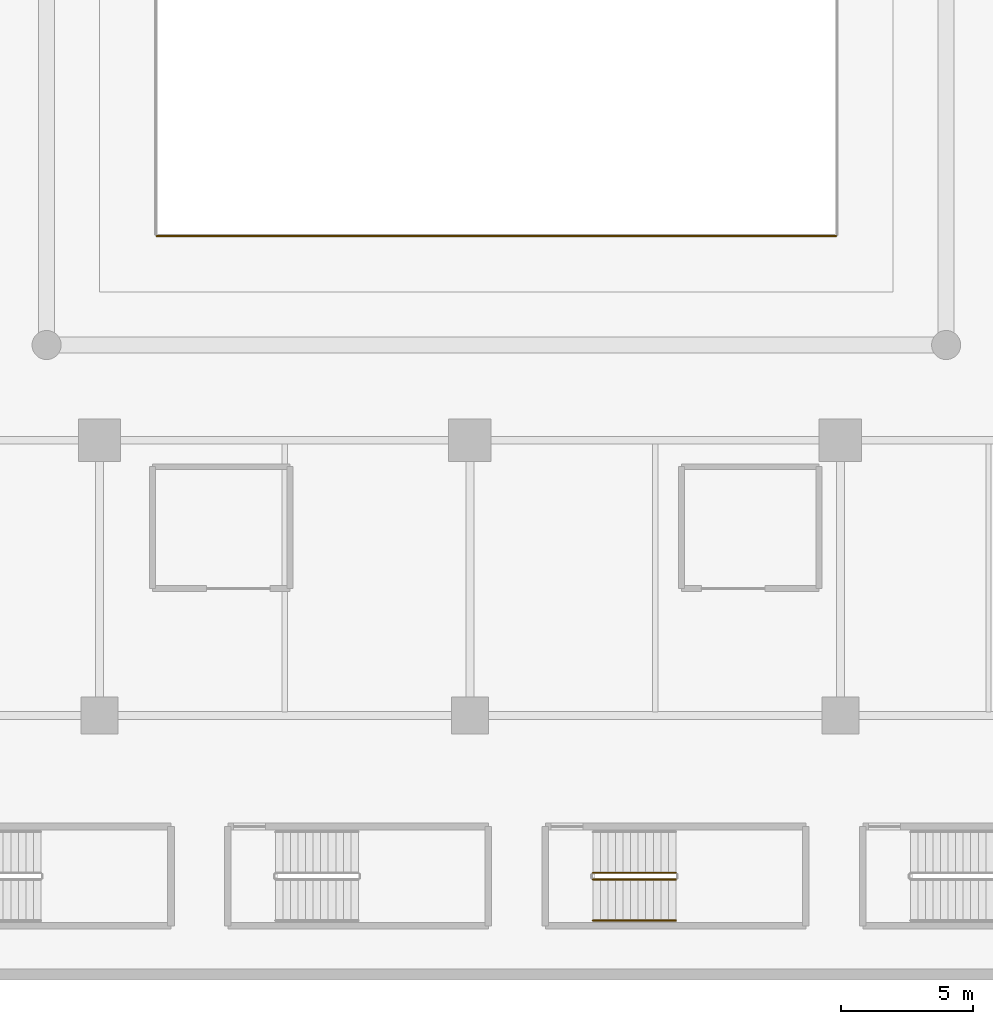
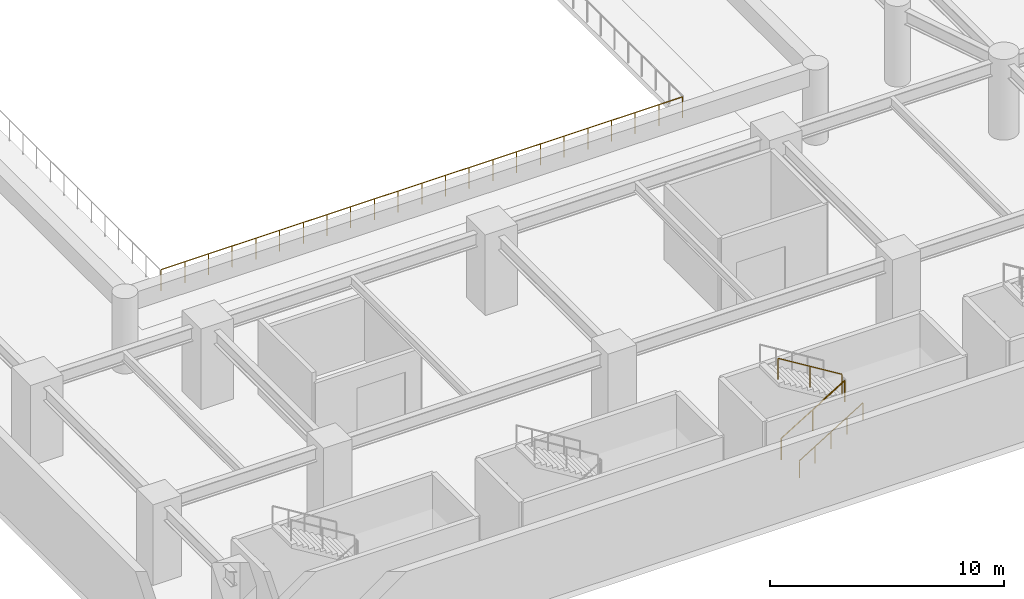
# One storey, part 19 of 25: 4 railings.
"""IFC4 building model written with IfcOpenShell, lengths in metres."""

from ifc_helpers import new_model, si_unit, direction, frame, origin, origin_2d, place, context, subcontext, project, spatial, circle, extrude, material, type_object, element, save


model = new_model("IFC4")

# Units and contexts
model_context = context("Model", 3, precision=1e-05, world=origin(), true_north=direction((0.0, 1.0)))
body_context = subcontext(model_context, "Body", "Model", "MODEL_VIEW")
ifc_project = project(units=[si_unit("LENGTHUNIT", "METRE"), si_unit("AREAUNIT", "SQUARE_METRE"), si_unit("VOLUMEUNIT", "CUBIC_METRE"), si_unit("PLANEANGLEUNIT", "RADIAN"), si_unit("MASSUNIT", "GRAM", prefix="KILO")], contexts=[model_context])

# Site, building, storey
site_placement = place(None, origin())
site = spatial("IfcSite", under=ifc_project, at=site_placement, CompositionType="ELEMENT")
building_placement = place(site_placement, origin())
building = spatial("IfcBuilding", under=site, at=building_placement, Name="Narakoshi Arena Tower", CompositionType="ELEMENT")
storey_placement = place(building_placement, frame((0.0, 0.0, 9.0)))
storey = spatial("IfcBuildingStorey", under=building, at=storey_placement, Name="L02", CompositionType="ELEMENT", Elevation=9.0)

# Railings
ifc_material_1 = material(Name="Clear low-iron laminated structural glass", Category="glass")
railing_type_1 = type_object("IfcRailingType", Name="RL-BAL-1100", PredefinedType="BALUSTRADE", material=ifc_material_1)
railing_1_placement = place(storey_placement, frame((30.64990234375, 3.800048828125, 0.175048828125)))
element("IfcRailing", 1, at=railing_1_placement, inside=storey, type_object=railing_type_1, Name="L02 AST3 stair guard 1", PredefinedType="BALUSTRADE", context=body_context, shape_type="SweptSolid", body=[
    extrude(circle(Radius=0.02392578125, at=origin_2d()), frame((0.0, 0.0, 1.09619140625), z_axis=(0.852166034122, 0.0, 0.523271488128), x_axis=(0.0, 1.0, 0.0)), (0.0, 0.0, 1.0), 3.678955078125),
    extrude(circle(Radius=0.02099609375, at=origin_2d()), origin(), (0.0, 0.0, 1.0), 1.072021484375),
    extrude(circle(Radius=0.02099609375, at=origin_2d()), frame((1.5673828125, 0.0, 0.96240234375)), (0.0, 0.0, 1.0), 1.072021484375),
    extrude(circle(Radius=0.02099609375, at=origin_2d()), frame((3.135009765625, 0.0, 1.925048828125)), (0.0, 0.0, 1.0), 1.072021484375),
])
railing_2_placement = place(storey_placement, frame((33.784912109375, 4.050048828125, 2.27490234375)))
element("IfcRailing", 2, at=railing_2_placement, inside=storey, type_object=railing_type_1, Name="L02 AST3 stair guard 3", PredefinedType="BALUSTRADE", context=body_context, shape_type="SweptSolid", body=[
    extrude(circle(Radius=0.02392578125, at=origin_2d()), frame((0.0, 0.0, 1.09619140625), z_axis=(-0.852166034122, 0.0, 0.523271488128), x_axis=(0.0, -1.0, 0.0)), (0.0, 0.0, 1.0), 3.678955078125),
    extrude(circle(Radius=0.02099609375, at=origin_2d()), origin(), (0.0, 0.0, 1.0), 1.072021484375),
    extrude(circle(Radius=0.02099609375, at=origin_2d()), frame((-1.5673828125, 0.0, 0.96240234375)), (0.0, 0.0, 1.0), 1.072021484375),
    extrude(circle(Radius=0.02099609375, at=origin_2d()), frame((-3.135009765625, 0.0, 1.925048828125)), (0.0, 0.0, 1.0), 1.072021484375),
])
railing_3_placement = place(storey_placement, frame((14.159912109375, 28.1201171875, 0.0)))
element("IfcRailing", 3, at=railing_3_placement, inside=storey, type_object=railing_type_1, Name="L02 Arena Bowl Tier Balustrade 1", PredefinedType="BALUSTRADE", context=body_context, shape_type="SweptSolid", body=[
    extrude(circle(Radius=0.02392578125, at=origin_2d()), frame((0.0, 0.0, 1.09619140625), z_axis=(1.0, 0.0, 0.0), x_axis=(0.0, 1.0, 0.0)), (0.0, 0.0, 1.0), 25.68017578125),
    extrude(circle(Radius=0.02099609375, at=origin_2d()), origin(), (0.0, 0.0, 1.0), 1.072021484375),
    extrude(circle(Radius=0.02099609375, at=origin_2d()), frame((1.167236328125, 0.0, 0.0)), (0.0, 0.0, 1.0), 1.072021484375),
    extrude(circle(Radius=0.02099609375, at=origin_2d()), frame((2.33447265625, 0.0, 0.0)), (0.0, 0.0, 1.0), 1.072021484375),
    extrude(circle(Radius=0.02099609375, at=origin_2d()), frame((3.501953125, 0.0, 0.0)), (0.0, 0.0, 1.0), 1.072021484375),
    extrude(circle(Radius=0.02099609375, at=origin_2d()), frame((4.669189453125, 0.0, 0.0)), (0.0, 0.0, 1.0), 1.072021484375),
    extrude(circle(Radius=0.02099609375, at=origin_2d()), frame((5.83642578125, 0.0, 0.0)), (0.0, 0.0, 1.0), 1.072021484375),
    extrude(circle(Radius=0.02099609375, at=origin_2d()), frame((7.003662109375, 0.0, 0.0)), (0.0, 0.0, 1.0), 1.072021484375),
    extrude(circle(Radius=0.02099609375, at=origin_2d()), frame((8.1708984375, 0.0, 0.0)), (0.0, 0.0, 1.0), 1.072021484375),
    extrude(circle(Radius=0.02099609375, at=origin_2d()), frame((9.338134765625, 0.0, 0.0)), (0.0, 0.0, 1.0), 1.072021484375),
    extrude(circle(Radius=0.02099609375, at=origin_2d()), frame((10.505615234375, 0.0, 0.0)), (0.0, 0.0, 1.0), 1.072021484375),
    extrude(circle(Radius=0.02099609375, at=origin_2d()), frame((11.6728515625, 0.0, 0.0)), (0.0, 0.0, 1.0), 1.072021484375),
    extrude(circle(Radius=0.02099609375, at=origin_2d()), frame((12.840087890625, 0.0, 0.0)), (0.0, 0.0, 1.0), 1.072021484375),
    extrude(circle(Radius=0.02099609375, at=origin_2d()), frame((14.00732421875, 0.0, 0.0)), (0.0, 0.0, 1.0), 1.072021484375),
    extrude(circle(Radius=0.02099609375, at=origin_2d()), frame((15.174560546875, 0.0, 0.0)), (0.0, 0.0, 1.0), 1.072021484375),
    extrude(circle(Radius=0.02099609375, at=origin_2d()), frame((16.342041015625, 0.0, 0.0)), (0.0, 0.0, 1.0), 1.072021484375),
    extrude(circle(Radius=0.02099609375, at=origin_2d()), frame((17.50927734375, 0.0, 0.0)), (0.0, 0.0, 1.0), 1.072021484375),
    extrude(circle(Radius=0.02099609375, at=origin_2d()), frame((18.676513671875, 0.0, 0.0)), (0.0, 0.0, 1.0), 1.072021484375),
    extrude(circle(Radius=0.02099609375, at=origin_2d()), frame((19.84375, 0.0, 0.0)), (0.0, 0.0, 1.0), 1.072021484375),
    extrude(circle(Radius=0.02099609375, at=origin_2d()), frame((21.010986328125, 0.0, 0.0)), (0.0, 0.0, 1.0), 1.072021484375),
    extrude(circle(Radius=0.02099609375, at=origin_2d()), frame((22.17822265625, 0.0, 0.0)), (0.0, 0.0, 1.0), 1.072021484375),
    extrude(circle(Radius=0.02099609375, at=origin_2d()), frame((23.345703125, 0.0, 0.0)), (0.0, 0.0, 1.0), 1.072021484375),
    extrude(circle(Radius=0.02099609375, at=origin_2d()), frame((24.512939453125, 0.0, 0.0)), (0.0, 0.0, 1.0), 1.072021484375),
    extrude(circle(Radius=0.02099609375, at=origin_2d()), frame((25.68017578125, 0.0, 0.0)), (0.0, 0.0, 1.0), 1.072021484375),
])
ifc_material_2 = material(Name="Brushed bronze stainless steel", Category="steel")
railing_type_2 = type_object("IfcRailingType", Name="RL-HND-900", PredefinedType="HANDRAIL", material=ifc_material_2)
railing_4_placement = place(storey_placement, frame((30.64990234375, 2.25, 0.175048828125)))
element("IfcRailing", 4, at=railing_4_placement, inside=storey, type_object=railing_type_2, Name="L02 AST3 stair handrail 1", PredefinedType="HANDRAIL", context=body_context, shape_type="SweptSolid", body=[
    extrude(circle(Radius=0.02392578125, at=origin_2d()), frame((0.0, 0.0, 0.8759765625), z_axis=(0.852166034122, 0.0, 0.523271488128), x_axis=(0.0, 1.0, 0.0)), (0.0, 0.0, 1.0), 3.678955078125),
    extrude(circle(Radius=0.02099609375, at=origin_2d()), origin(), (0.0, 0.0, 1.0), 0.851806640625),
    extrude(circle(Radius=0.02099609375, at=origin_2d()), frame((0.78369140625, 0.0, 0.481201171875)), (0.0, 0.0, 1.0), 0.851806640625),
    extrude(circle(Radius=0.02099609375, at=origin_2d()), frame((1.5673828125, 0.0, 0.96240234375)), (0.0, 0.0, 1.0), 0.851806640625),
    extrude(circle(Radius=0.02099609375, at=origin_2d()), frame((2.351318359375, 0.0, 1.44384765625)), (0.0, 0.0, 1.0), 0.851806640625),
    extrude(circle(Radius=0.02099609375, at=origin_2d()), frame((3.135009765625, 0.0, 1.925048828125)), (0.0, 0.0, 1.0), 0.851806640625),
])

save(model, "model.ifc")
